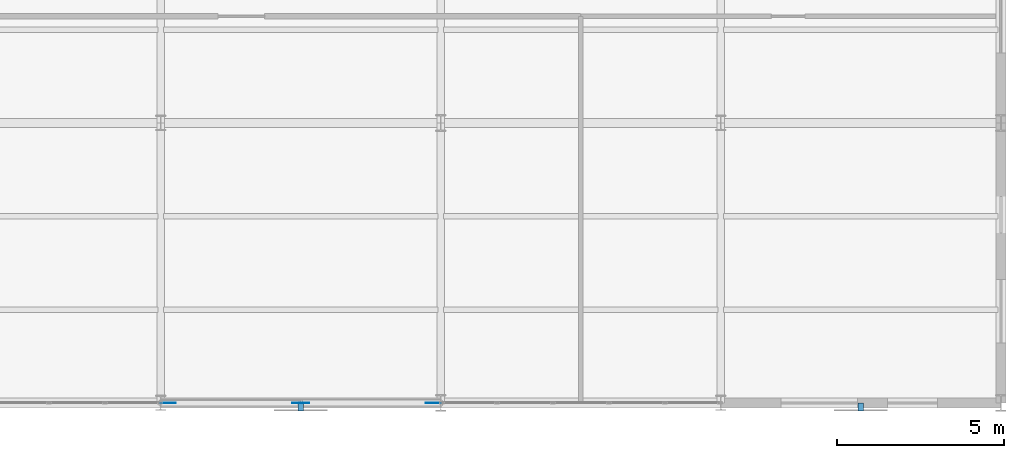
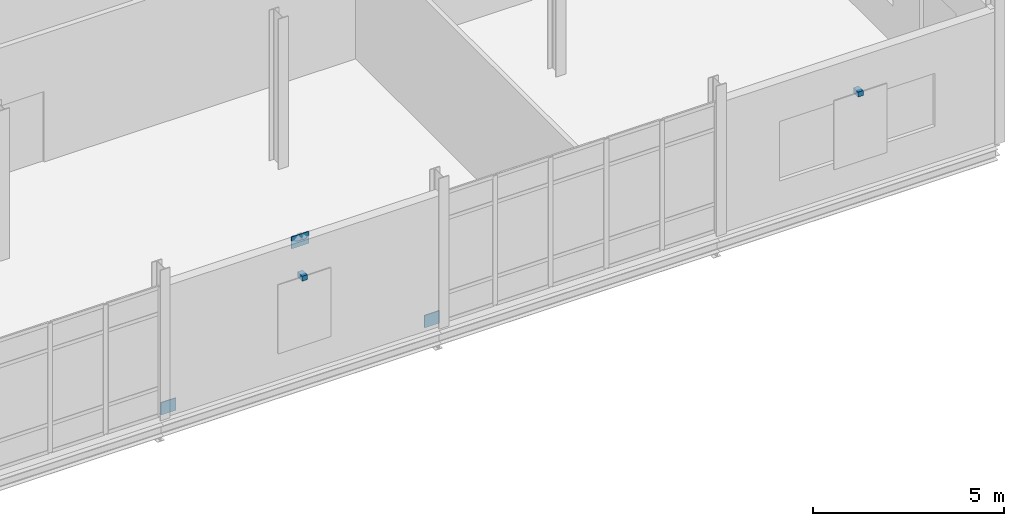
# One storey, part 134 of 145: 5 discrete accessories.
"""IFC4 building model written with IfcOpenShell, lengths in metres."""

from ifc_helpers import new_model, si_unit, direction, frame, origin, origin_2d, place, context, subcontext, project, spatial, rectangle, extrude, material, type_object, element, save


model = new_model("IFC4")

# Units and contexts
model_context = context("Model", 3, precision=1e-05, world=origin(), true_north=direction((0.0, 1.0)))
body_context = subcontext(model_context, "Body", "Model", "MODEL_VIEW")
ifc_project = project(units=[si_unit("LENGTHUNIT", "METRE"), si_unit("AREAUNIT", "SQUARE_METRE"), si_unit("VOLUMEUNIT", "CUBIC_METRE"), si_unit("PLANEANGLEUNIT", "RADIAN"), si_unit("MASSUNIT", "GRAM", prefix="KILO")], contexts=[model_context])

# Site, building, storey
site_placement = place(None, origin())
site = spatial("IfcSite", under=ifc_project, at=site_placement, CompositionType="ELEMENT")
building_placement = place(site_placement, origin())
building = spatial("IfcBuilding", under=site, at=building_placement, Name="Qalvenar Corner Mobility Hub", CompositionType="ELEMENT")
storey_placement = place(building_placement, origin())
storey = spatial("IfcBuildingStorey", under=building, at=storey_placement, Name="L00", CompositionType="ELEMENT", Elevation=0.0)

# Discrete accessories
ifc_material = material(Name="Steel S355", Category="steel")
discrete_accessory_type_1 = type_object("IfcDiscreteAccessoryType", Name="ACC-GUSSET-PLT", PredefinedType="BRACKET", material=ifc_material)
discrete_accessory_placement = place(storey_placement, frame((147.0, 0.0, 3.93017578125), z_axis=(0.0, 0.0, 1.0), x_axis=(1.0, 0.0, 0.0)))
element("IfcDiscreteAccessory", 1, at=discrete_accessory_placement, inside=storey, type_object=discrete_accessory_type_1, Name="Chevron Apex Gusset Plate GP-A-058", PredefinedType="BRACKET", context=body_context, shape_type="SweptSolid", body=[
    extrude(rectangle(XDim=0.52001953125, YDim=0.02490234375, at=origin_2d()), origin(), (0.0, 0.0, 1.0), 0.3798828125),
])
for number, where, z_axis, x_axis, name in (
    (2, (143.02001953125, 0.0, 0.0), (0.0, 0.0, 1.0), (1.0, 0.0, 0.0), "Brace Base Gusset Plate GP-B-059"),
    (3, (150.97998046875, 0.0, 0.0), (0.0, 0.0, 1.0), (1.0, 0.0, 0.0), "Brace Base Gusset Plate GP-B-060"),
):
    element("IfcDiscreteAccessory", number, at=place(storey_placement, frame(where, z_axis=z_axis, x_axis=x_axis)), inside=storey, type_object=discrete_accessory_type_1, Name=name, PredefinedType="BRACKET", context=body_context, shape_type="SweptSolid", body=[
        extrude(rectangle(XDim=0.449951171875, YDim=0.02490234375, at=origin_2d()), origin(), (0.0, 0.0, 1.0), 0.39990234375),
    ])
discrete_accessory_type_2 = type_object("IfcDiscreteAccessoryType", Name="ACC-HINGE-BRK", PredefinedType="BRACKET", material=ifc_material)
for number, where, z_axis, x_axis, name in (
    (4, (147.0, -0.1201171875, 2.97021484375), (0.0, 0.0, 1.0), (1.0, 0.0, 0.0), "Workshop Louvre Bracket BKV6-L00-4"),
    (5, (163.800048828125, -0.1201171875, 2.97021484375), (0.0, 0.0, 1.0), (1.0, 0.0, 0.0), "Workshop Louvre Bracket BKV6-L00-6"),
):
    element("IfcDiscreteAccessory", number, at=place(storey_placement, frame(where, z_axis=z_axis, x_axis=x_axis)), inside=storey, type_object=discrete_accessory_type_2, Name=name, PredefinedType="BRACKET", context=body_context, shape_type="SweptSolid", body=[
        extrude(rectangle(XDim=0.159912109375, YDim=0.239990234375, at=origin_2d()), origin(), (0.0, 0.0, 1.0), 0.159912109375),
    ])

save(model, "model.ifc")
